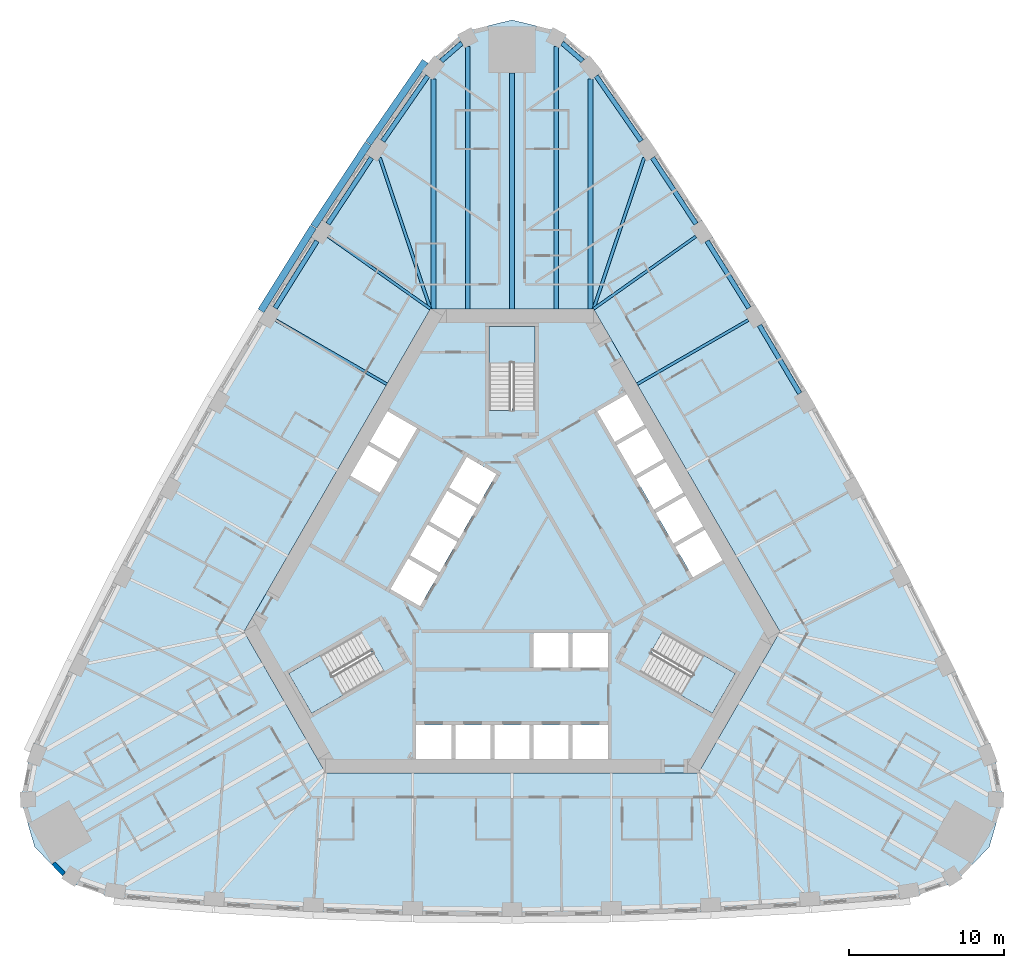
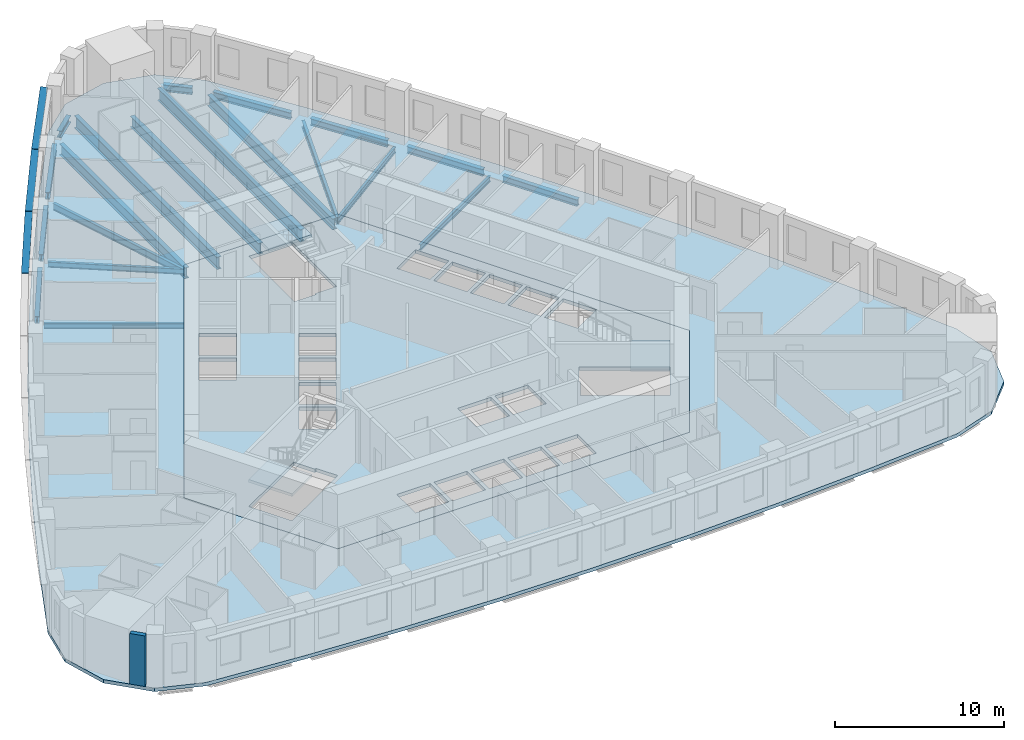
# One storey, part 2 of 13: 20 beams, 5 slabs, 3 members, 1 wall, 3 elements without a shape of their own.
"""IFC4 building model written with IfcOpenShell, lengths in metres."""

from ifc_helpers import new_model, si_unit, direction, frame, frame_2d, origin, origin_2d, place, context, subcontext, project, spatial, polyline, rectangle, i_section, outline, extrude, material, layer, layer_set, material_profile, profile_set, type_object, element, aggregate, save


model = new_model("IFC4")

# Units and contexts
model_context = context("Model", 3, precision=1e-05, world=origin(), true_north=direction((0.0, 1.0)))
body_context = subcontext(model_context, "Body", "Model", "MODEL_VIEW")
ifc_project = project(units=[si_unit("LENGTHUNIT", "METRE"), si_unit("AREAUNIT", "SQUARE_METRE"), si_unit("VOLUMEUNIT", "CUBIC_METRE"), si_unit("PLANEANGLEUNIT", "RADIAN"), si_unit("MASSUNIT", "GRAM", prefix="KILO")], contexts=[model_context])

# Site, building, storey
site_placement = place(None, origin())
site = spatial("IfcSite", under=ifc_project, at=site_placement, CompositionType="ELEMENT")
building_placement = place(site_placement, origin())
building = spatial("IfcBuilding", under=site, at=building_placement, Name="Mestral Congress Tower", CompositionType="ELEMENT")
storey_placement = place(building_placement, frame((0.0, 0.0, 87.60009765625)))
storey = spatial("IfcBuildingStorey", under=building, at=storey_placement, Name="L20", CompositionType="ELEMENT", Elevation=87.60009765625)

# Members
ifc_material_1 = material(Name="Glazed ceramic", Category="masonry")
ifc_material_profile_1 = material_profile(ifc_material_1, rectangle(XDim=0.449951171875, YDim=0.06005859375, at=origin_2d()), Name="Ceramic blade 450 x 60")
ifc_profile_set_1 = profile_set([ifc_material_profile_1], Name="Glazed ceramic")
member_type = type_object("IfcMemberType", Name="Facade sunshade blade 450 x 60", PredefinedType="USERDEFINED", material=ifc_profile_set_1)
member_placement = place(storey_placement, frame((-5.590576171875, 32.8505859375, 3.27978515625), z_axis=(-0.569144736399, -0.822237355652, 0.0), x_axis=(0.822237355652, -0.569144736399, 0.0)))
element("IfcMember", 1, at=member_placement, inside=storey, type_object=member_type, Name="Sunshade F2-00", ObjectType="SUNSHADE", PredefinedType="USERDEFINED", context=body_context, shape_type="SweptSolid", body=[
    extrude(rectangle(XDim=0.449951171875, YDim=0.06005859375, at=origin_2d()), origin(), (0.0, 0.0, 1.0), 6.421630859375),
])
for number, where, z_axis, x_axis, name in (
    (2, (-9.2705078125, 27.532958984375, 3.27978515625), (-0.549764307833, -0.835319822483, 0.0), (0.835319822483, -0.549764307833, 0.0), "Sunshade F2-01"),
    (3, (-12.797119140625, 22.173583984375, 3.27978515625), (-0.530060946156, -0.847959547007, 0.0), (0.847959547007, -0.530060946156, 0.0), "Sunshade F2-02"),
):
    element("IfcMember", number, at=place(storey_placement, frame(where, z_axis=z_axis, x_axis=x_axis)), inside=storey, type_object=member_type, Name=name, ObjectType="SUNSHADE", PredefinedType="USERDEFINED", context=body_context, shape_type="SweptSolid", body=[
        extrude(rectangle(XDim=0.449951171875, YDim=0.06005859375, at=origin_2d()), origin(), (0.0, 0.0, 1.0), 6.370361328125),
    ])

# Beams
ifc_material_2 = material(Name="Steel S355", Category="steel")
ifc_material_profile_2 = material_profile(ifc_material_2, i_section(OverallWidth=0.300048828125, OverallDepth=0.800048828125, WebThickness=0.017578125, FlangeThickness=0.032958984375, FilletRadius=0.030029296875, at=origin_2d()), Name="HEB 800")
ifc_profile_set_2 = profile_set([ifc_material_profile_2], Name="Steel S355")
beam_type_1 = type_object("IfcBeamType", Name="Floor beam HEB 800 S355", PredefinedType="BEAM", material=ifc_profile_set_2)
beam_1_placement = place(storey_placement, frame((5.056396484375, 31.72412109375, -0.650146484375), z_axis=(0.0, -1.0, 0.0), x_axis=(1.0, 0.0, 0.0)))
element("IfcBeam", 4, at=beam_1_placement, inside=storey, type_object=beam_type_1, Name="BM-L20-RB2-E08", PredefinedType="BEAM", context=body_context, shape_type="SweptSolid", body=[
    extrude(i_section(OverallWidth=0.300048828125, OverallDepth=0.800048828125, WebThickness=0.017578125, FlangeThickness=0.032958984375, FilletRadius=0.030029296875, at=origin_2d()), origin(), (0.0, 0.0, 1.0), 14.82421875),
])
beam_2_placement = place(storey_placement, frame((0.0, 32.098388671875, -0.650146484375), z_axis=(0.0, -1.0, 0.0), x_axis=(1.0, 0.0, 0.0)))
element("IfcBeam", 5, at=beam_2_placement, inside=storey, type_object=beam_type_1, Name="BM-L20-RB2-N", PredefinedType="BEAM", context=body_context, shape_type="SweptSolid", body=[
    extrude(i_section(OverallWidth=0.300048828125, OverallDepth=0.800048828125, WebThickness=0.017578125, FlangeThickness=0.032958984375, FilletRadius=0.030029296875, at=origin_2d()), origin(), (0.0, 0.0, 1.0), 15.198486328125),
])
beam_3_placement = place(storey_placement, frame((-5.056396484375, 31.72412109375, -0.650146484375), z_axis=(0.0, -1.0, 0.0), x_axis=(1.0, 0.0, 0.0)))
element("IfcBeam", 6, at=beam_3_placement, inside=storey, type_object=beam_type_1, Name="BM-L20-RB2-W00", PredefinedType="BEAM", context=body_context, shape_type="SweptSolid", body=[
    extrude(i_section(OverallWidth=0.300048828125, OverallDepth=0.800048828125, WebThickness=0.017578125, FlangeThickness=0.032958984375, FilletRadius=0.030029296875, at=origin_2d()), origin(), (0.0, 0.0, 1.0), 14.82421875),
])
ifc_material_profile_3 = material_profile(ifc_material_2, i_section(OverallWidth=0.300048828125, OverallDepth=0.89990234375, WebThickness=0.0185546875, FlangeThickness=0.034912109375, FilletRadius=0.030029296875, at=origin_2d()), Name="HEB 900")
ifc_profile_set_3 = profile_set([ifc_material_profile_3], Name="Steel S355")
beam_type_2 = type_object("IfcBeamType", Name="Floor beam HEB 900 S355", PredefinedType="BEAM", material=ifc_profile_set_3)
for number, where, z_axis, x_axis, name in (
    (7, (2.845703125, 33.794189453125, -0.7001953125), (0.0, -1.0, 0.0), (1.0, 0.0, 0.0), "BM-L20-RB2-N1"),
    (8, (-2.845703125, 33.794189453125, -0.7001953125), (0.0, -1.0, 0.0), (1.0, 0.0, 0.0), "BM-L20-RB2-N3"),
):
    element("IfcBeam", number, at=place(storey_placement, frame(where, z_axis=z_axis, x_axis=x_axis)), inside=storey, type_object=beam_type_2, Name=name, PredefinedType="BEAM", context=body_context, shape_type="SweptSolid", body=[
        extrude(i_section(OverallWidth=0.300048828125, OverallDepth=0.89990234375, WebThickness=0.0185546875, FlangeThickness=0.034912109375, FilletRadius=0.030029296875, at=origin_2d()), origin(), (0.0, 0.0, 1.0), 16.894287109375),
    ])
ifc_material_profile_4 = material_profile(ifc_material_2, i_section(OverallWidth=0.179931640625, OverallDepth=0.39990234375, WebThickness=0.008544921875, FlangeThickness=0.013427734375, FilletRadius=0.02099609375, at=origin_2d()), Name="IPE 400")
ifc_profile_set_4 = profile_set([ifc_material_profile_4], Name="Steel S355")
beam_type_3 = type_object("IfcBeamType", Name="Floor beam IPE 400 S355", PredefinedType="BEAM", material=ifc_profile_set_4)
beam_4_placement = place(storey_placement, frame((15.219482421875, 16.176513671875, -0.4501953125), z_axis=(-0.866015952286, -0.500016370119, 0.0), x_axis=(0.500016370119, -0.866015952286, 0.0)))
element("IfcBeam", 9, at=beam_4_placement, inside=storey, type_object=beam_type_3, Name="BM-L20-RB2-E05", PredefinedType="BEAM", context=body_context, shape_type="SweptSolid", body=[
    extrude(i_section(OverallWidth=0.179931640625, OverallDepth=0.39990234375, WebThickness=0.008544921875, FlangeThickness=0.013427734375, FilletRadius=0.02099609375, at=origin_2d()), origin(), (0.0, 0.0, 1.0), 8.268798828125),
])
for number, where, z_axis, x_axis, name in (
    (10, (11.849365234375, 21.568115234375, -0.4501953125), (-0.816232852676, -0.577723056673, 0.0), (0.577723056673, -0.816232852676, 0.0), "BM-L20-RB2-E06"),
    (11, (-11.849365234375, 21.568115234375, -0.4501953125), (0.816232852676, -0.577723056673, 0.0), (0.577723056673, 0.816232852676, 0.0), "BM-L20-RB2-W02"),
):
    element("IfcBeam", number, at=place(storey_placement, frame(where, z_axis=z_axis, x_axis=x_axis)), inside=storey, type_object=beam_type_3, Name=name, PredefinedType="BEAM", context=body_context, shape_type="SweptSolid", body=[
        extrude(i_section(OverallWidth=0.179931640625, OverallDepth=0.39990234375, WebThickness=0.008544921875, FlangeThickness=0.013427734375, FilletRadius=0.02099609375, at=origin_2d()), origin(), (0.0, 0.0, 1.0), 8.080322265625),
    ])
beam_5_placement = place(storey_placement, frame((-15.219482421875, 16.176513671875, -0.4501953125), z_axis=(0.866015952286, -0.500016370119, 0.0), x_axis=(0.500016370119, 0.866015952286, 0.0)))
element("IfcBeam", 12, at=beam_5_placement, inside=storey, type_object=beam_type_3, Name="BM-L20-RB2-W03", PredefinedType="BEAM", context=body_context, shape_type="SweptSolid", body=[
    extrude(i_section(OverallWidth=0.179931640625, OverallDepth=0.39990234375, WebThickness=0.008544921875, FlangeThickness=0.013427734375, FilletRadius=0.02099609375, at=origin_2d()), origin(), (0.0, 0.0, 1.0), 8.268798828125),
])
ifc_material_profile_5 = material_profile(ifc_material_2, i_section(OverallWidth=0.199951171875, OverallDepth=0.5, WebThickness=0.01025390625, FlangeThickness=0.01611328125, FilletRadius=0.02099609375, at=origin_2d()), Name="IPE 500")
ifc_profile_set_5 = profile_set([ifc_material_profile_5], Name="Steel S355")
beam_type_4 = type_object("IfcBeamType", Name="Floor beam IPE 500 S355", PredefinedType="BEAM", material=ifc_profile_set_5)
for number, where, z_axis, x_axis, name in (
    (13, (8.5185546875, 26.636962890625, -0.5), (-0.317888994992, -0.948127938025, 0.0), (0.948127938025, -0.317888994992, 0.0), "BM-L20-RB2-E07"),
    (14, (-8.5185546875, 26.636962890625, -0.5), (0.317888994992, -0.948127938025, 0.0), (0.948127938025, 0.317888994992, 0.0), "BM-L20-RB2-W01"),
):
    element("IfcBeam", number, at=place(storey_placement, frame(where, z_axis=z_axis, x_axis=x_axis)), inside=storey, type_object=beam_type_4, Name=name, PredefinedType="BEAM", context=body_context, shape_type="SweptSolid", body=[
        extrude(i_section(OverallWidth=0.199951171875, OverallDepth=0.5, WebThickness=0.01025390625, FlangeThickness=0.01611328125, FilletRadius=0.02099609375, at=origin_2d()), origin(), (0.0, 0.0, 1.0), 10.269775390625),
    ])
ifc_material_profile_6 = material_profile(ifc_material_2, i_section(OverallWidth=0.300048828125, OverallDepth=0.489990234375, WebThickness=0.011962890625, FlangeThickness=0.02294921875, FilletRadius=0.027099609375, at=origin_2d()), Name="HEA 500")
ifc_profile_set_6 = profile_set([ifc_material_profile_6], Name="Steel S355")
beam_type_5 = type_object("IfcBeamType", Name="Spandrel beam HEA 500 S355", PredefinedType="BEAM", material=ifc_profile_set_6)
for number, where, z_axis, x_axis, name in (
    (15, (18.542236328125, 11.455810546875, -0.4951171875), (-0.510081870963, 0.860125854114, 0.0), (-0.860125854114, -0.510081870963, 0.0), "SP-L20-SB2-E04"),
    (16, (15.2646484375, 16.95263671875, -0.4951171875), (-0.530046273959, 0.847968718446, 0.0), (-0.847968718446, -0.530046273959, 0.0), "SP-L20-SB2-E05"),
):
    element("IfcBeam", number, at=place(storey_placement, frame(where, z_axis=z_axis, x_axis=x_axis)), inside=storey, type_object=beam_type_5, Name=name, PredefinedType="BEAM", context=body_context, shape_type="SweptSolid", body=[
        extrude(i_section(OverallWidth=0.300048828125, OverallDepth=0.489990234375, WebThickness=0.011962890625, FlangeThickness=0.02294921875, FilletRadius=0.027099609375, at=origin_2d()), origin(), (0.0, 0.0, 1.0), 5.099853515625),
    ])
beam_6_placement = place(storey_placement, frame((11.859619140625, 22.371337890625, -0.4951171875), z_axis=(-0.549729920898, 0.835342453171, 0.0), x_axis=(-0.835342453171, -0.549729920898, 0.0)))
element("IfcBeam", 17, at=beam_6_placement, inside=storey, type_object=beam_type_5, Name="SP-L20-SB2-E06", PredefinedType="BEAM", context=body_context, shape_type="SweptSolid", body=[
    extrude(i_section(OverallWidth=0.300048828125, OverallDepth=0.489990234375, WebThickness=0.011962890625, FlangeThickness=0.02294921875, FilletRadius=0.027099609375, at=origin_2d()), origin(), (0.0, 0.0, 1.0), 5.099609375),
])
beam_7_placement = place(storey_placement, frame((8.32861328125, 27.708740234375, -0.4951171875), z_axis=(-0.569105377225, 0.822264598298, 0.0), x_axis=(-0.822264598298, -0.569105377225, 0.0)))
element("IfcBeam", 18, at=beam_7_placement, inside=storey, type_object=beam_type_5, Name="SP-L20-SB2-E07", PredefinedType="BEAM", context=body_context, shape_type="SweptSolid", body=[
    extrude(i_section(OverallWidth=0.300048828125, OverallDepth=0.489990234375, WebThickness=0.011962890625, FlangeThickness=0.02294921875, FilletRadius=0.027099609375, at=origin_2d()), origin(), (0.0, 0.0, 1.0), 5.09765625),
])
for number, where, z_axis, x_axis, name in (
    (19, (4.558349609375, 32.869140625, -0.4951171875), (-0.754917058401, 0.655820276398, 0.0), (-0.655820276398, -0.754917058401, 0.0), "SP-L20-SB2-E08"),
    (20, (-3.234130859375, 34.01953125, -0.4951171875), (-0.754917058401, -0.655820276398, 0.0), (0.655820276398, -0.754917058401, 0.0), "SP-L20-SB2-N3"),
):
    element("IfcBeam", number, at=place(storey_placement, frame(where, z_axis=z_axis, x_axis=x_axis)), inside=storey, type_object=beam_type_5, Name=name, PredefinedType="BEAM", context=body_context, shape_type="SweptSolid", body=[
        extrude(i_section(OverallWidth=0.300048828125, OverallDepth=0.489990234375, WebThickness=0.011962890625, FlangeThickness=0.02294921875, FilletRadius=0.027099609375, at=origin_2d()), origin(), (0.0, 0.0, 1.0), 1.754150390625),
    ])
beam_8_placement = place(storey_placement, frame((-5.427490234375, 31.900390625, -0.4951171875), z_axis=(-0.569105377225, -0.822264598298, 0.0), x_axis=(0.822264598298, -0.569105377225, 0.0)))
element("IfcBeam", 21, at=beam_8_placement, inside=storey, type_object=beam_type_5, Name="SP-L20-SB2-W00", PredefinedType="BEAM", context=body_context, shape_type="SweptSolid", body=[
    extrude(i_section(OverallWidth=0.300048828125, OverallDepth=0.489990234375, WebThickness=0.011962890625, FlangeThickness=0.02294921875, FilletRadius=0.027099609375, at=origin_2d()), origin(), (0.0, 0.0, 1.0), 5.09765625),
])
beam_9_placement = place(storey_placement, frame((-9.05615234375, 26.63134765625, -0.4951171875), z_axis=(-0.549729920898, -0.835342453171, 0.0), x_axis=(0.835342453171, -0.549729920898, 0.0)))
element("IfcBeam", 22, at=beam_9_placement, inside=storey, type_object=beam_type_5, Name="SP-L20-SB2-W01", PredefinedType="BEAM", context=body_context, shape_type="SweptSolid", body=[
    extrude(i_section(OverallWidth=0.300048828125, OverallDepth=0.489990234375, WebThickness=0.011962890625, FlangeThickness=0.02294921875, FilletRadius=0.027099609375, at=origin_2d()), origin(), (0.0, 0.0, 1.0), 5.099609375),
])
beam_10_placement = place(storey_placement, frame((-12.5615234375, 21.277099609375, -0.4951171875), z_axis=(-0.530046273959, -0.847968718446, 0.0), x_axis=(0.847968718446, -0.530046273959, 0.0)))
element("IfcBeam", 23, at=beam_10_placement, inside=storey, type_object=beam_type_5, Name="SP-L20-SB2-W02", PredefinedType="BEAM", context=body_context, shape_type="SweptSolid", body=[
    extrude(i_section(OverallWidth=0.300048828125, OverallDepth=0.489990234375, WebThickness=0.011962890625, FlangeThickness=0.02294921875, FilletRadius=0.027099609375, at=origin_2d()), origin(), (0.0, 0.0, 1.0), 5.099853515625),
])

# Slabs
ifc_material_3 = material(Name="Concrete C35/45", Category="concrete")
ifc_layer_1 = layer(ifc_material_3, 0.25)
ifc_layer_set_1 = layer_set([ifc_layer_1], Name="Concrete C35/45")
slab_type_1 = type_object("IfcSlabType", Name="Composite floor slab 250", PredefinedType="FLOOR", material=ifc_layer_set_1)
placement_1 = place(storey_placement, frame((0.0, 0.0, -0.25)))
element("IfcSlab", 24, at=placement_1, inside=storey, type_object=slab_type_1, Name="SL-L20", PredefinedType="FLOOR", context=body_context, shape_type="SweptSolid", body=[
    extrude(outline(polyline([(-25.656005859375, -21.041015625), (-28.581298828125, -20.03271484375), (-30.75390625, -17.755859375), (-31.639404296875, -14.73583984375), (-31.050048828125, -11.697998046875), (-28.28759765625, -5.856689453125), (-25.412109375, -0.12744140625), (-22.403564453125, 5.533203125), (-19.263671875, 11.121826171875), (-15.99365234375, 16.635498046875), (-12.595703125, 22.0712890625), (-9.07177734375, 27.426025390625), (-5.39404296875, 32.739013671875), (-3.05810546875, 34.768310546875), (0.0, 35.51171875), (3.05810546875, 34.768310546875), (5.39404296875, 32.739013671875), (9.07177734375, 27.426025390625), (12.595703125, 22.0712890625), (15.99365234375, 16.635498046875), (19.263671875, 11.121826171875), (22.403564453125, 5.533203125), (25.412109375, -0.12744140625), (28.28759765625, -5.856689453125), (31.050048828125, -11.697998046875), (31.639404296875, -14.73583984375), (30.75390625, -17.755859375), (28.581298828125, -20.03271484375), (25.656005859375, -21.041015625), (19.2158203125, -21.5693359375), (12.81640625, -21.94384765625), (6.409912109375, -22.168701171875), (0.0, -22.24365234375), (-6.409912109375, -22.168701171875), (-12.81640625, -21.94384765625), (-19.2158203125, -21.5693359375), (-25.656005859375, -21.041015625)]), holes=[polyline([(-5.25390625, 16.89990234375), (-17.2626953125, -3.89990234375), (-12.0087890625, -13.0), (12.0087890625, -13.0), (17.2626953125, -3.89990234375), (5.25390625, 16.89990234375), (-5.25390625, 16.89990234375)])]), origin(), (0.0, 0.0, 1.0), 0.25),
])
ifc_material_4 = material(Name="Concrete C60/75", Category="concrete")
ifc_layer_2 = layer(ifc_material_4, 0.25)
ifc_layer_set_2 = layer_set([ifc_layer_2], Name="Concrete C60/75")
slab_type_2 = type_object("IfcSlabType", Name="Core floor slab RC 250", PredefinedType="FLOOR", material=ifc_layer_set_2)
element("IfcSlab", 25, at=placement_1, inside=storey, type_object=slab_type_2, Name="L20 core floor", PredefinedType="FLOOR", context=body_context, shape_type="SweptSolid", body=[
    extrude(outline(polyline([(12.0087890625, -13.0), (-12.0087890625, -13.0), (-17.2626953125, -3.89990234375), (-5.25390625, 16.89990234375), (5.25390625, 16.89990234375), (17.2626953125, -3.89990234375), (12.0087890625, -13.0)]), holes=[polyline([(-3.905029296875, -9.89990234375), (-6.175048828125, -9.89990234375), (-6.175048828125, -12.10009765625), (-3.905029296875, -12.10009765625), (-3.905029296875, -9.89990234375)]), polyline([(-1.385009765625, -9.89990234375), (-3.655029296875, -9.89990234375), (-3.655029296875, -12.10009765625), (-1.385009765625, -12.10009765625), (-1.385009765625, -9.89990234375)]), polyline([(1.135009765625, -9.89990234375), (-1.135009765625, -9.89990234375), (-1.135009765625, -12.10009765625), (1.135009765625, -12.10009765625), (1.135009765625, -9.89990234375)]), polyline([(-9.0673828125, -5.235107421875), (-9.8046875, -3.95751953125), (-14.37744140625, -6.59765625), (-12.90234375, -9.15234375), (-8.234619140625, -6.45751953125), (-8.971923828125, -5.179931640625), (-9.0673828125, -5.235107421875)]), polyline([(-7.826904296875, -1.156494140625), (-5.921630859375, -2.256591796875), (-4.78662109375, -0.29052734375), (-6.69189453125, 0.809326171875), (-7.826904296875, -1.156494140625)]), polyline([(-4.66162109375, -0.07421875), (-3.526611328125, 1.8916015625), (-5.431884765625, 2.99169921875), (-6.56689453125, 1.02587890625), (-4.66162109375, -0.07421875)]), polyline([(-3.401611328125, 2.1083984375), (-2.2666015625, 4.07421875), (-4.171875, 5.174072265625), (-5.306884765625, 3.208251953125), (-3.401611328125, 2.1083984375)]), polyline([(-2.1416015625, 4.29052734375), (-1.006591796875, 6.256591796875), (-2.911865234375, 7.3564453125), (-4.046875, 5.390625), (-2.1416015625, 4.29052734375)]), polyline([(-10.41650390625, 6.158203125), (-8.51123046875, 5.058349609375), (-7.376220703125, 7.024169921875), (-9.281494140625, 8.1240234375), (-10.41650390625, 6.158203125)]), polyline([(-9.156494140625, 8.340576171875), (-7.251220703125, 7.240478515625), (-6.1162109375, 9.20654296875), (-8.021484375, 10.306396484375), (-9.156494140625, 8.340576171875)]), polyline([(1.47509765625, 10.469970703125), (1.47509765625, 15.75), (-1.47509765625, 15.75), (-1.47509765625, 10.360107421875), (0.0, 10.360107421875), (0.0, 10.469970703125), (1.47509765625, 10.469970703125)]), polyline([(3.655029296875, -9.89990234375), (1.385009765625, -9.89990234375), (1.385009765625, -12.10009765625), (3.655029296875, -12.10009765625), (3.655029296875, -9.89990234375)]), polyline([(6.175048828125, -9.89990234375), (3.905029296875, -9.89990234375), (3.905029296875, -12.10009765625), (6.175048828125, -12.10009765625), (6.175048828125, -9.89990234375)]), polyline([(9.0673828125, -5.235107421875), (8.329833984375, -6.512451171875), (12.90234375, -9.15234375), (14.37744140625, -6.59765625), (9.70947265625, -3.902587890625), (8.971923828125, -5.179931640625), (9.0673828125, -5.235107421875)]), polyline([(3.655029296875, -6.199951171875), (3.655029296875, -4.0), (1.385009765625, -4.0), (1.385009765625, -6.199951171875), (3.655029296875, -6.199951171875)]), polyline([(6.175048828125, -4.0), (3.905029296875, -4.0), (3.905029296875, -6.199951171875), (6.175048828125, -6.199951171875), (6.175048828125, -4.0)]), polyline([(12.431396484375, 2.668212890625), (10.526123046875, 1.568115234375), (11.6611328125, -0.397705078125), (13.56640625, 0.702392578125), (12.431396484375, 2.668212890625)]), polyline([(11.17138671875, 4.8505859375), (9.26611328125, 3.75048828125), (10.401123046875, 1.78466796875), (12.306396484375, 2.884765625), (11.17138671875, 4.8505859375)]), polyline([(8.006103515625, 5.932861328125), (9.14111328125, 3.967041015625), (11.04638671875, 5.067138671875), (9.911376953125, 7.032958984375), (8.006103515625, 5.932861328125)]), polyline([(8.6513671875, 9.21533203125), (6.74609375, 8.115234375), (7.881103515625, 6.1494140625), (9.786376953125, 7.24951171875), (8.6513671875, 9.21533203125)]), polyline([(7.391357421875, 11.397705078125), (5.486083984375, 10.297607421875), (6.62109375, 8.331787109375), (8.5263671875, 9.431884765625), (7.391357421875, 11.397705078125)])]), origin(), (0.0, 0.0, 1.0), 0.25),
])

# Stair, slab
stair_type = type_object("IfcStairType", Name="Exit stair 1400", PredefinedType="HALF_TURN_STAIR", material=ifc_material_4)
placement_2 = place(storey_placement, origin())
stair_1 = element("IfcStair", 26, at=placement_2, inside=storey, type_object=stair_type, Name="L20 ST1", PredefinedType="HALF_TURN_STAIR")
ifc_layer_3 = layer(ifc_material_4, 0.199951171875)
ifc_layer_set_3 = layer_set([ifc_layer_3], Name="Concrete C60/75")
slab_type_3 = type_object("IfcSlabType", Name="Exit stair landing 200", PredefinedType="LANDING", material=ifc_layer_set_3)
placement_3 = place(storey_placement, frame((0.0, 0.0, 1.75)))
slab_3 = element("IfcSlab", 27, at=placement_3, type_object=slab_type_3, Name="ST1 landing 1", PredefinedType="LANDING", context=body_context, shape_type="SweptSolid", body=[
    extrude(outline(polyline([(10.879638671875, -7.99609375), (12.364501953125, -5.424072265625), (14.39111328125, -6.593994140625), (12.906005859375, -9.166015625), (10.879638671875, -7.99609375)])), origin(), (0.0, 0.0, 1.0), 0.199951171875),
])
aggregate(stair_1, [slab_3])

stair_2 = element("IfcStair", 28, at=placement_2, inside=storey, type_object=stair_type, Name="L20 ST2", PredefinedType="HALF_TURN_STAIR")
slab_4 = element("IfcSlab", 29, at=placement_3, type_object=slab_type_3, Name="ST2 landing 1", PredefinedType="LANDING", context=body_context, shape_type="SweptSolid", body=[
    extrude(outline(polyline([(1.485107421875, 13.419921875), (-1.485107421875, 13.419921875), (-1.485107421875, 15.760009765625), (1.485107421875, 15.760009765625), (1.485107421875, 13.419921875)])), origin(), (0.0, 0.0, 1.0), 0.199951171875),
])
aggregate(stair_2, [slab_4])

stair_3 = element("IfcStair", 30, at=placement_2, inside=storey, type_object=stair_type, Name="L20 ST3", PredefinedType="HALF_TURN_STAIR")
slab_5 = element("IfcSlab", 31, at=placement_3, type_object=slab_type_3, Name="ST3 landing 1", PredefinedType="LANDING", context=body_context, shape_type="SweptSolid", body=[
    extrude(outline(polyline([(-12.364501953125, -5.424072265625), (-10.879638671875, -7.99609375), (-12.906005859375, -9.166015625), (-14.39111328125, -6.593994140625), (-12.364501953125, -5.424072265625)])), origin(), (0.0, 0.0, 1.0), 0.199951171875),
])
aggregate(stair_3, [slab_5])

# Wall
ifc_material_5 = material(Name="Precast concrete C40/50 with limestone facing", Category="masonry")
ifc_layer_4 = layer(ifc_material_5, 0.2900390625)
ifc_layer_set_4 = layer_set([ifc_layer_4], Name="Precast concrete C40/50 with limestone facing")
wall_type = type_object("IfcWallType", Name="Facade stone wall 290", PredefinedType="SOLIDWALL", material=ifc_layer_set_4)
wall_placement = place(storey_placement, frame((-29.5341796875, -18.82421875, 0.0), z_axis=(0.0, 0.0, 1.0), x_axis=(0.690414427296, -0.723414071319, 0.0)))
element("IfcWall", 32, at=wall_placement, inside=storey, type_object=wall_type, Name="Facade wall K2-2", PredefinedType="SOLIDWALL", context=body_context, shape_type="SweptSolid", body=[
    extrude(rectangle(XDim=0.947021484375, YDim=0.2900390625, at=frame_2d((0.4736328125, 0.0))), origin(), (0.0, 0.0, 1.0), 3.64990234375),
])

save(model, "model.ifc")
